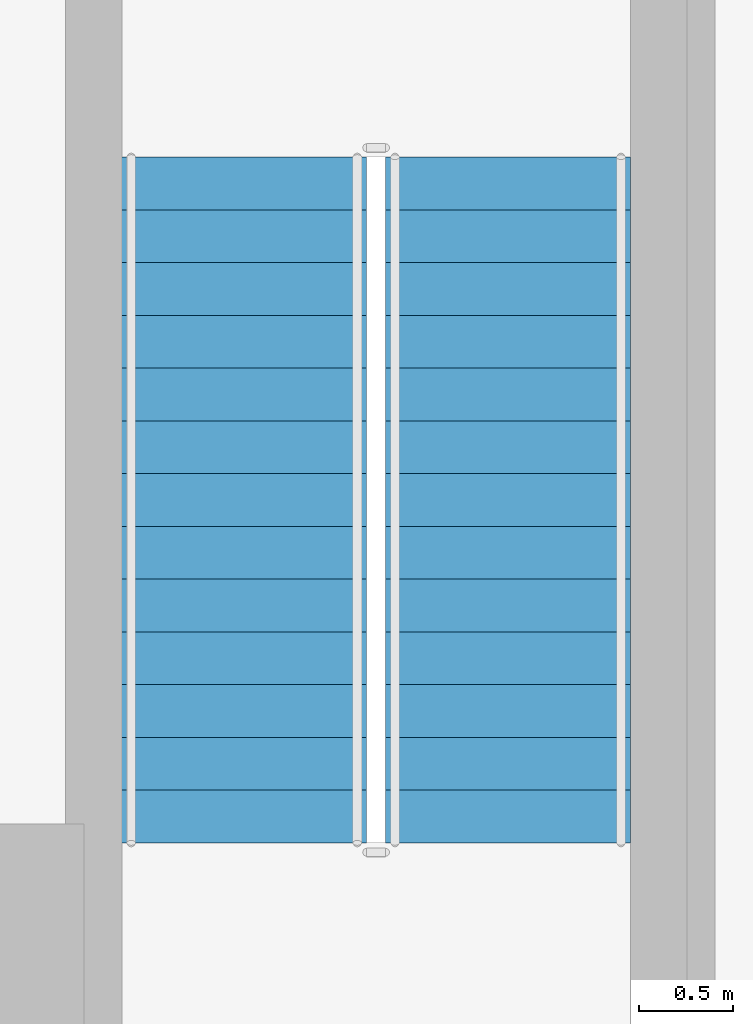
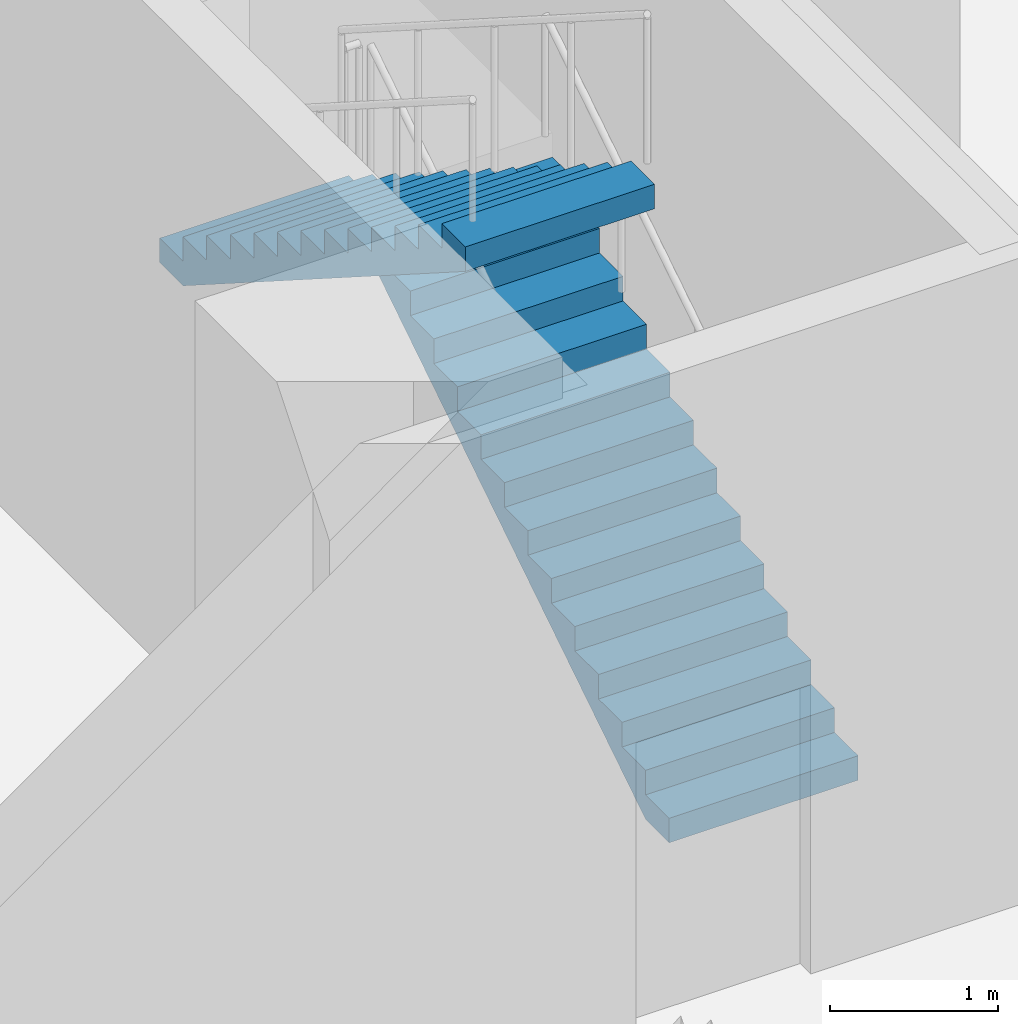
# One storey, part 19 of 35: 2 stair flights, 1 element without a shape of its own.
"""IFC4 building model written with IfcOpenShell, lengths in metres."""

from ifc_helpers import new_model, si_unit, direction, frame, origin, place, context, subcontext, project, spatial, triangles, source, transform, mapped, material, type_object, element, aggregate, save


model = new_model("IFC4")

# Units and contexts
model_context = context("Model", 3, precision=1e-05, world=origin(), true_north=direction((0.0, 1.0)))
body_context = subcontext(model_context, "Body", "Model", "MODEL_VIEW")
ifc_project = project(units=[si_unit("LENGTHUNIT", "METRE"), si_unit("AREAUNIT", "SQUARE_METRE"), si_unit("VOLUMEUNIT", "CUBIC_METRE"), si_unit("PLANEANGLEUNIT", "RADIAN"), si_unit("MASSUNIT", "GRAM", prefix="KILO")], contexts=[model_context])

# Site, building, storey
site_placement = place(None, origin())
site = spatial("IfcSite", under=ifc_project, at=site_placement, CompositionType="ELEMENT")
building_placement = place(site_placement, origin())
building = spatial("IfcBuilding", under=site, at=building_placement, Name="Ogive Portal Towers", CompositionType="ELEMENT")
storey_placement = place(building_placement, frame((0.0, 0.0, 23.5)))
storey = spatial("IfcBuildingStorey", under=building, at=storey_placement, Name="L04", CompositionType="ELEMENT", Elevation=23.5)

# Stair, stair flights
ifc_material = material(Name="Concrete C40/50", Category="concrete")
stair_type = type_object("IfcStairType", Name="INT-STAIR", PredefinedType="HALF_TURN_STAIR", material=ifc_material)
stair_placement = place(storey_placement, origin())
stair = element("IfcStair", 1, at=stair_placement, inside=storey, type_object=stair_type, Name="L04 Exit Stair ST-A3", PredefinedType="HALF_TURN_STAIR")
stair_flight_type = type_object("IfcStairFlightType", Name="INT-FLIGHT", PredefinedType="STRAIGHT", material=ifc_material)
shared_shape = source(origin(), body_context, "Body", "Tessellation", [
    triangles([(0.0, -0.650146484375, 0.0), (0.0, -0.376220703125, 0.0), (0.0, -0.192626953125, 0.0), (0.0, -0.081298828125, 0.0), (0.0, -0.024169921875, 0.0), (0.0, -0.003173828125, 0.0), (0.0, 0.0, 0.0), (0.0, 0.0029296875, 0.0), (0.0, 0.02392578125, 0.0), (0.0, 0.0810546875, 0.0), (0.0, 0.1923828125, 0.0), (0.0, 0.3759765625, 0.0), (0.0, 0.64990234375, 0.0), (0.0, -0.650146484375, 0.178466796875), (0.0, -0.376220703125, 0.178466796875), (0.0, -0.192626953125, 0.178466796875), (0.0, -0.081298828125, 0.178466796875), (0.0, -0.024169921875, 0.178466796875), (0.0, -0.003173828125, 0.178466796875), (0.0, 0.0, 0.178466796875), (0.0, 0.0029296875, 0.178466796875), (0.0, 0.02392578125, 0.178466796875), (0.0, 0.0810546875, 0.178466796875), (0.0, 0.1923828125, 0.178466796875), (0.0, 0.3759765625, 0.178466796875), (0.0, 0.64990234375, 0.178466796875), (0.280029296875, -0.650146484375, 0.178466796875), (0.280029296875, -0.376220703125, 0.178466796875), (0.280029296875, -0.192626953125, 0.178466796875), (0.280029296875, -0.081298828125, 0.178466796875), (0.280029296875, -0.024169921875, 0.178466796875), (0.280029296875, -0.003173828125, 0.178466796875), (0.280029296875, 0.0, 0.178466796875), (0.280029296875, 0.0029296875, 0.178466796875), (0.280029296875, 0.02392578125, 0.178466796875), (0.280029296875, 0.0810546875, 0.178466796875), (0.280029296875, 0.1923828125, 0.178466796875), (0.280029296875, 0.3759765625, 0.178466796875), (0.280029296875, 0.64990234375, 0.178466796875), (0.280029296875, -0.650146484375, 0.357177734375), (0.280029296875, -0.376220703125, 0.357177734375), (0.280029296875, -0.192626953125, 0.357177734375), (0.280029296875, -0.081298828125, 0.357177734375), (0.280029296875, -0.024169921875, 0.357177734375), (0.280029296875, -0.003173828125, 0.357177734375), (0.280029296875, 0.0, 0.357177734375), (0.280029296875, 0.0029296875, 0.357177734375), (0.280029296875, 0.02392578125, 0.357177734375), (0.280029296875, 0.0810546875, 0.357177734375), (0.280029296875, 0.1923828125, 0.357177734375), (0.280029296875, 0.3759765625, 0.357177734375), (0.280029296875, 0.64990234375, 0.357177734375), (0.56005859375, -0.650146484375, 0.357177734375), (0.56005859375, -0.376220703125, 0.357177734375), (0.56005859375, -0.192626953125, 0.357177734375), (0.56005859375, -0.081298828125, 0.357177734375), (0.56005859375, -0.024169921875, 0.357177734375), (0.56005859375, -0.003173828125, 0.357177734375), (0.56005859375, 0.0, 0.357177734375), (0.56005859375, 0.0029296875, 0.357177734375), (0.56005859375, 0.02392578125, 0.357177734375), (0.56005859375, 0.0810546875, 0.357177734375), (0.56005859375, 0.1923828125, 0.357177734375), (0.56005859375, 0.3759765625, 0.357177734375), (0.56005859375, 0.64990234375, 0.357177734375), (0.56005859375, -0.650146484375, 0.53564453125), (0.56005859375, -0.376220703125, 0.53564453125), (0.56005859375, -0.192626953125, 0.53564453125), (0.56005859375, -0.081298828125, 0.53564453125), (0.56005859375, -0.024169921875, 0.53564453125), (0.56005859375, -0.003173828125, 0.53564453125), (0.56005859375, 0.0, 0.53564453125), (0.56005859375, 0.0029296875, 0.53564453125), (0.56005859375, 0.02392578125, 0.53564453125), (0.56005859375, 0.0810546875, 0.53564453125), (0.56005859375, 0.1923828125, 0.53564453125), (0.56005859375, 0.3759765625, 0.53564453125), (0.56005859375, 0.64990234375, 0.53564453125), (0.840087890625, -0.650146484375, 0.53564453125), (0.840087890625, -0.376220703125, 0.53564453125), (0.840087890625, -0.192626953125, 0.53564453125), (0.840087890625, -0.081298828125, 0.53564453125), (0.840087890625, -0.024169921875, 0.53564453125), (0.840087890625, -0.003173828125, 0.53564453125), (0.840087890625, 0.0, 0.53564453125), (0.840087890625, 0.0029296875, 0.53564453125), (0.840087890625, 0.02392578125, 0.53564453125), (0.840087890625, 0.0810546875, 0.53564453125), (0.840087890625, 0.1923828125, 0.53564453125), (0.840087890625, 0.3759765625, 0.53564453125), (0.840087890625, 0.64990234375, 0.53564453125), (0.840087890625, -0.650146484375, 0.71435546875), (0.840087890625, -0.376220703125, 0.71435546875), (0.840087890625, -0.192626953125, 0.71435546875), (0.840087890625, -0.081298828125, 0.71435546875), (0.840087890625, -0.024169921875, 0.71435546875), (0.840087890625, -0.003173828125, 0.71435546875), (0.840087890625, 0.0, 0.71435546875), (0.840087890625, 0.0029296875, 0.71435546875), (0.840087890625, 0.02392578125, 0.71435546875), (0.840087890625, 0.0810546875, 0.71435546875), (0.840087890625, 0.1923828125, 0.71435546875), (0.840087890625, 0.3759765625, 0.71435546875), (0.840087890625, 0.64990234375, 0.71435546875), (1.1201171875, -0.650146484375, 0.71435546875), (1.1201171875, -0.376220703125, 0.71435546875), (1.1201171875, -0.192626953125, 0.71435546875), (1.1201171875, -0.081298828125, 0.71435546875), (1.1201171875, -0.024169921875, 0.71435546875), (1.1201171875, -0.003173828125, 0.71435546875), (1.1201171875, 0.0, 0.71435546875), (1.1201171875, 0.0029296875, 0.71435546875), (1.1201171875, 0.02392578125, 0.71435546875), (1.1201171875, 0.0810546875, 0.71435546875), (1.1201171875, 0.1923828125, 0.71435546875), (1.1201171875, 0.3759765625, 0.71435546875), (1.1201171875, 0.64990234375, 0.71435546875), (1.1201171875, -0.650146484375, 0.892822265625), (1.1201171875, -0.376220703125, 0.892822265625), (1.1201171875, -0.192626953125, 0.892822265625), (1.1201171875, -0.081298828125, 0.892822265625), (1.1201171875, -0.024169921875, 0.892822265625), (1.1201171875, -0.003173828125, 0.892822265625), (1.1201171875, 0.0, 0.892822265625), (1.1201171875, 0.0029296875, 0.892822265625), (1.1201171875, 0.02392578125, 0.892822265625), (1.1201171875, 0.0810546875, 0.892822265625), (1.1201171875, 0.1923828125, 0.892822265625), (1.1201171875, 0.3759765625, 0.892822265625), (1.1201171875, 0.64990234375, 0.892822265625), (1.39990234375, -0.650146484375, 0.892822265625), (1.39990234375, -0.376220703125, 0.892822265625), (1.39990234375, -0.192626953125, 0.892822265625), (1.39990234375, -0.081298828125, 0.892822265625), (1.39990234375, -0.024169921875, 0.892822265625), (1.39990234375, -0.003173828125, 0.892822265625), (1.39990234375, 0.0, 0.892822265625), (1.39990234375, 0.0029296875, 0.892822265625), (1.39990234375, 0.02392578125, 0.892822265625), (1.39990234375, 0.0810546875, 0.892822265625), (1.39990234375, 0.1923828125, 0.892822265625), (1.39990234375, 0.3759765625, 0.892822265625), (1.39990234375, 0.64990234375, 0.892822265625), (1.39990234375, -0.650146484375, 1.071533203125), (1.39990234375, -0.376220703125, 1.071533203125), (1.39990234375, -0.192626953125, 1.071533203125), (1.39990234375, -0.081298828125, 1.071533203125), (1.39990234375, -0.024169921875, 1.071533203125), (1.39990234375, -0.003173828125, 1.071533203125), (1.39990234375, 0.0, 1.071533203125), (1.39990234375, 0.0029296875, 1.071533203125), (1.39990234375, 0.02392578125, 1.071533203125), (1.39990234375, 0.0810546875, 1.071533203125), (1.39990234375, 0.1923828125, 1.071533203125), (1.39990234375, 0.3759765625, 1.071533203125), (1.39990234375, 0.64990234375, 1.071533203125), (1.679931640625, -0.650146484375, 1.071533203125), (1.679931640625, -0.376220703125, 1.071533203125), (1.679931640625, -0.192626953125, 1.071533203125), (1.679931640625, -0.081298828125, 1.071533203125), (1.679931640625, -0.024169921875, 1.071533203125), (1.679931640625, -0.003173828125, 1.071533203125), (1.679931640625, 0.0, 1.071533203125), (1.679931640625, 0.0029296875, 1.071533203125), (1.679931640625, 0.02392578125, 1.071533203125), (1.679931640625, 0.0810546875, 1.071533203125), (1.679931640625, 0.1923828125, 1.071533203125), (1.679931640625, 0.3759765625, 1.071533203125), (1.679931640625, 0.64990234375, 1.071533203125), (1.679931640625, -0.650146484375, 1.25), (1.679931640625, -0.376220703125, 1.25), (1.679931640625, -0.192626953125, 1.25), (1.679931640625, -0.081298828125, 1.25), (1.679931640625, -0.024169921875, 1.25), (1.679931640625, -0.003173828125, 1.25), (1.679931640625, 0.0, 1.25), (1.679931640625, 0.0029296875, 1.25), (1.679931640625, 0.02392578125, 1.25), (1.679931640625, 0.0810546875, 1.25), (1.679931640625, 0.1923828125, 1.25), (1.679931640625, 0.3759765625, 1.25), (1.679931640625, 0.64990234375, 1.25), (1.9599609375, -0.650146484375, 1.25), (1.9599609375, -0.376220703125, 1.25), (1.9599609375, -0.192626953125, 1.25), (1.9599609375, -0.081298828125, 1.25), (1.9599609375, -0.024169921875, 1.25), (1.9599609375, -0.003173828125, 1.25), (1.9599609375, 0.0, 1.25), (1.9599609375, 0.0029296875, 1.25), (1.9599609375, 0.02392578125, 1.25), (1.9599609375, 0.0810546875, 1.25), (1.9599609375, 0.1923828125, 1.25), (1.9599609375, 0.3759765625, 1.25), (1.9599609375, 0.64990234375, 1.25), (1.9599609375, -0.650146484375, 1.428466796875), (1.9599609375, -0.376220703125, 1.428466796875), (1.9599609375, -0.192626953125, 1.428466796875), (1.9599609375, -0.081298828125, 1.428466796875), (1.9599609375, -0.024169921875, 1.428466796875), (1.9599609375, -0.003173828125, 1.428466796875), (1.9599609375, 0.0, 1.428466796875), (1.9599609375, 0.0029296875, 1.428466796875), (1.9599609375, 0.02392578125, 1.428466796875), (1.9599609375, 0.0810546875, 1.428466796875), (1.9599609375, 0.1923828125, 1.428466796875), (1.9599609375, 0.3759765625, 1.428466796875), (1.9599609375, 0.64990234375, 1.428466796875), (2.239990234375, -0.650146484375, 1.428466796875), (2.239990234375, -0.376220703125, 1.428466796875), (2.239990234375, -0.192626953125, 1.428466796875), (2.239990234375, -0.081298828125, 1.428466796875), (2.239990234375, -0.024169921875, 1.428466796875), (2.239990234375, -0.003173828125, 1.428466796875), (2.239990234375, 0.0, 1.428466796875), (2.239990234375, 0.0029296875, 1.428466796875), (2.239990234375, 0.02392578125, 1.428466796875), (2.239990234375, 0.0810546875, 1.428466796875), (2.239990234375, 0.1923828125, 1.428466796875), (2.239990234375, 0.3759765625, 1.428466796875), (2.239990234375, 0.64990234375, 1.428466796875), (2.239990234375, -0.650146484375, 1.607177734375), (2.239990234375, -0.376220703125, 1.607177734375), (2.239990234375, -0.192626953125, 1.607177734375), (2.239990234375, -0.081298828125, 1.607177734375), (2.239990234375, -0.024169921875, 1.607177734375), (2.239990234375, -0.003173828125, 1.607177734375), (2.239990234375, 0.0, 1.607177734375), (2.239990234375, 0.0029296875, 1.607177734375), (2.239990234375, 0.02392578125, 1.607177734375), (2.239990234375, 0.0810546875, 1.607177734375), (2.239990234375, 0.1923828125, 1.607177734375), (2.239990234375, 0.3759765625, 1.607177734375), (2.239990234375, 0.64990234375, 1.607177734375), (2.52001953125, -0.650146484375, 1.607177734375), (2.52001953125, -0.376220703125, 1.607177734375), (2.52001953125, -0.192626953125, 1.607177734375), (2.52001953125, -0.081298828125, 1.607177734375), (2.52001953125, -0.024169921875, 1.607177734375), (2.52001953125, -0.003173828125, 1.607177734375), (2.52001953125, 0.0, 1.607177734375), (2.52001953125, 0.0029296875, 1.607177734375), (2.52001953125, 0.02392578125, 1.607177734375), (2.52001953125, 0.0810546875, 1.607177734375), (2.52001953125, 0.1923828125, 1.607177734375), (2.52001953125, 0.3759765625, 1.607177734375), (2.52001953125, 0.64990234375, 1.607177734375), (2.52001953125, -0.650146484375, 1.78564453125), (2.52001953125, -0.376220703125, 1.78564453125), (2.52001953125, -0.192626953125, 1.78564453125), (2.52001953125, -0.081298828125, 1.78564453125), (2.52001953125, -0.024169921875, 1.78564453125), (2.52001953125, -0.003173828125, 1.78564453125), (2.52001953125, 0.0, 1.78564453125), (2.52001953125, 0.0029296875, 1.78564453125), (2.52001953125, 0.02392578125, 1.78564453125), (2.52001953125, 0.0810546875, 1.78564453125), (2.52001953125, 0.1923828125, 1.78564453125), (2.52001953125, 0.3759765625, 1.78564453125), (2.52001953125, 0.64990234375, 1.78564453125), (2.800048828125, -0.650146484375, 1.78564453125), (2.800048828125, -0.376220703125, 1.78564453125), (2.800048828125, -0.192626953125, 1.78564453125), (2.800048828125, -0.081298828125, 1.78564453125), (2.800048828125, -0.024169921875, 1.78564453125), (2.800048828125, -0.003173828125, 1.78564453125), (2.800048828125, 0.0, 1.78564453125), (2.800048828125, 0.0029296875, 1.78564453125), (2.800048828125, 0.02392578125, 1.78564453125), (2.800048828125, 0.0810546875, 1.78564453125), (2.800048828125, 0.1923828125, 1.78564453125), (2.800048828125, 0.3759765625, 1.78564453125), (2.800048828125, 0.64990234375, 1.78564453125), (2.800048828125, -0.650146484375, 1.96435546875), (2.800048828125, -0.376220703125, 1.96435546875), (2.800048828125, -0.192626953125, 1.96435546875), (2.800048828125, -0.081298828125, 1.96435546875), (2.800048828125, -0.024169921875, 1.96435546875), (2.800048828125, -0.003173828125, 1.96435546875), (2.800048828125, 0.0, 1.96435546875), (2.800048828125, 0.0029296875, 1.96435546875), (2.800048828125, 0.02392578125, 1.96435546875), (2.800048828125, 0.0810546875, 1.96435546875), (2.800048828125, 0.1923828125, 1.96435546875), (2.800048828125, 0.3759765625, 1.96435546875), (2.800048828125, 0.64990234375, 1.96435546875), (3.080078125, -0.650146484375, 1.96435546875), (3.080078125, -0.376220703125, 1.96435546875), (3.080078125, -0.192626953125, 1.96435546875), (3.080078125, -0.081298828125, 1.96435546875), (3.080078125, -0.024169921875, 1.96435546875), (3.080078125, -0.003173828125, 1.96435546875), (3.080078125, 0.0, 1.96435546875), (3.080078125, 0.0029296875, 1.96435546875), (3.080078125, 0.02392578125, 1.96435546875), (3.080078125, 0.0810546875, 1.96435546875), (3.080078125, 0.1923828125, 1.96435546875), (3.080078125, 0.3759765625, 1.96435546875), (3.080078125, 0.64990234375, 1.96435546875), (3.080078125, -0.650146484375, 2.142822265625), (3.080078125, -0.376220703125, 2.142822265625), (3.080078125, -0.192626953125, 2.142822265625), (3.080078125, -0.081298828125, 2.142822265625), (3.080078125, -0.024169921875, 2.142822265625), (3.080078125, -0.003173828125, 2.142822265625), (3.080078125, 0.0, 2.142822265625), (3.080078125, 0.0029296875, 2.142822265625), (3.080078125, 0.02392578125, 2.142822265625), (3.080078125, 0.0810546875, 2.142822265625), (3.080078125, 0.1923828125, 2.142822265625), (3.080078125, 0.3759765625, 2.142822265625), (3.080078125, 0.64990234375, 2.142822265625), (3.360107421875, -0.650146484375, 2.142822265625), (3.360107421875, -0.376220703125, 2.142822265625), (3.360107421875, -0.192626953125, 2.142822265625), (3.360107421875, -0.081298828125, 2.142822265625), (3.360107421875, -0.024169921875, 2.142822265625), (3.360107421875, -0.003173828125, 2.142822265625), (3.360107421875, 0.0, 2.142822265625), (3.360107421875, 0.0029296875, 2.142822265625), (3.360107421875, 0.02392578125, 2.142822265625), (3.360107421875, 0.0810546875, 2.142822265625), (3.360107421875, 0.1923828125, 2.142822265625), (3.360107421875, 0.3759765625, 2.142822265625), (3.360107421875, 0.64990234375, 2.142822265625), (3.360107421875, -0.650146484375, 2.321533203125), (3.360107421875, -0.376220703125, 2.321533203125), (3.360107421875, -0.192626953125, 2.321533203125), (3.360107421875, -0.081298828125, 2.321533203125), (3.360107421875, -0.024169921875, 2.321533203125), (3.360107421875, -0.003173828125, 2.321533203125), (3.360107421875, 0.0, 2.321533203125), (3.360107421875, 0.0029296875, 2.321533203125), (3.360107421875, 0.02392578125, 2.321533203125), (3.360107421875, 0.0810546875, 2.321533203125), (3.360107421875, 0.1923828125, 2.321533203125), (3.360107421875, 0.3759765625, 2.321533203125), (3.360107421875, 0.64990234375, 2.321533203125), (3.639892578125, -0.650146484375, 2.321533203125), (3.639892578125, -0.376220703125, 2.321533203125), (3.639892578125, -0.192626953125, 2.321533203125), (3.639892578125, -0.081298828125, 2.321533203125), (3.639892578125, -0.024169921875, 2.321533203125), (3.639892578125, -0.003173828125, 2.321533203125), (3.639892578125, 0.0, 2.321533203125), (3.639892578125, 0.0029296875, 2.321533203125), (3.639892578125, 0.02392578125, 2.321533203125), (3.639892578125, 0.0810546875, 2.321533203125), (3.639892578125, 0.1923828125, 2.321533203125), (3.639892578125, 0.3759765625, 2.321533203125), (3.639892578125, 0.64990234375, 2.321533203125), (3.639892578125, -0.650146484375, 2.1435546875), (3.639892578125, -0.376220703125, 2.1435546875), (3.639892578125, -0.192626953125, 2.1435546875), (3.639892578125, -0.081298828125, 2.1435546875), (3.639892578125, -0.024169921875, 2.1435546875), (3.639892578125, -0.003173828125, 2.1435546875), (3.639892578125, 0.0, 2.1435546875), (3.639892578125, 0.0029296875, 2.1435546875), (3.639892578125, 0.02392578125, 2.1435546875), (3.639892578125, 0.0810546875, 2.1435546875), (3.639892578125, 0.1923828125, 2.1435546875), (3.639892578125, 0.3759765625, 2.1435546875), (3.639892578125, 0.64990234375, 2.1435546875), (0.27880859375, -0.650146484375, 0.0), (0.27880859375, -0.376220703125, 0.0), (0.27880859375, -0.192626953125, 0.0), (0.27880859375, -0.081298828125, 0.0), (0.27880859375, -0.024169921875, 0.0), (0.27880859375, -0.003173828125, 0.0), (0.27880859375, 0.0, 0.0), (0.27880859375, 0.0029296875, 0.0), (0.27880859375, 0.02392578125, 0.0), (0.27880859375, 0.0810546875, 0.0), (0.27880859375, 0.1923828125, 0.0), (0.27880859375, 0.3759765625, 0.0), (0.27880859375, 0.64990234375, 0.0)], [[1, 14, 15], [1, 15, 2], [2, 15, 16], [2, 16, 3], [3, 16, 17], [3, 17, 4], [4, 17, 18], [4, 18, 5], [5, 18, 19], [5, 19, 6], [6, 19, 20], [6, 20, 7], [7, 20, 21], [7, 21, 8], [8, 21, 22], [8, 22, 9], [9, 22, 23], [9, 23, 10], [10, 23, 24], [10, 24, 11], [11, 24, 25], [11, 25, 12], [12, 25, 26], [12, 26, 13], [14, 27, 28], [14, 28, 15], [15, 28, 29], [15, 29, 16], [16, 29, 30], [16, 30, 17], [17, 30, 31], [17, 31, 18], [18, 31, 32], [18, 32, 19], [19, 32, 33], [19, 33, 20], [20, 33, 34], [20, 34, 21], [21, 34, 35], [21, 35, 22], [22, 35, 36], [22, 36, 23], [23, 36, 37], [23, 37, 24], [24, 37, 38], [24, 38, 25], [25, 38, 39], [25, 39, 26], [27, 40, 41], [27, 41, 28], [28, 41, 42], [28, 42, 29], [29, 42, 43], [29, 43, 30], [30, 43, 44], [30, 44, 31], [31, 44, 45], [31, 45, 32], [32, 45, 46], [32, 46, 33], [33, 46, 47], [33, 47, 34], [34, 47, 48], [34, 48, 35], [35, 48, 49], [35, 49, 36], [36, 49, 50], [36, 50, 37], [37, 50, 51], [37, 51, 38], [38, 51, 52], [38, 52, 39], [40, 53, 54], [40, 54, 41], [41, 54, 55], [41, 55, 42], [42, 55, 56], [42, 56, 43], [43, 56, 57], [43, 57, 44], [44, 57, 58], [44, 58, 45], [45, 58, 59], [45, 59, 46], [46, 59, 60], [46, 60, 47], [47, 60, 61], [47, 61, 48], [48, 61, 62], [48, 62, 49], [49, 62, 63], [49, 63, 50], [50, 63, 64], [50, 64, 51], [51, 64, 65], [51, 65, 52], [53, 66, 67], [53, 67, 54], [54, 67, 68], [54, 68, 55], [55, 68, 69], [55, 69, 56], [56, 69, 70], [56, 70, 57], [57, 70, 71], [57, 71, 58], [58, 71, 72], [58, 72, 59], [59, 72, 73], [59, 73, 60], [60, 73, 74], [60, 74, 61], [61, 74, 75], [61, 75, 62], [62, 75, 76], [62, 76, 63], [63, 76, 77], [63, 77, 64], [64, 77, 78], [64, 78, 65], [66, 79, 80], [66, 80, 67], [67, 80, 81], [67, 81, 68], [68, 81, 82], [68, 82, 69], [69, 82, 83], [69, 83, 70], [70, 83, 84], [70, 84, 71], [71, 84, 85], [71, 85, 72], [72, 85, 86], [72, 86, 73], [73, 86, 87], [73, 87, 74], [74, 87, 88], [74, 88, 75], [75, 88, 89], [75, 89, 76], [76, 89, 90], [76, 90, 77], [77, 90, 91], [77, 91, 78], [79, 92, 93], [79, 93, 80], [80, 93, 94], [80, 94, 81], [81, 94, 95], [81, 95, 82], [82, 95, 96], [82, 96, 83], [83, 96, 97], [83, 97, 84], [84, 97, 98], [84, 98, 85], [85, 98, 99], [85, 99, 86], [86, 99, 100], [86, 100, 87], [87, 100, 101], [87, 101, 88], [88, 101, 102], [88, 102, 89], [89, 102, 103], [89, 103, 90], [90, 103, 104], [90, 104, 91], [92, 105, 106], [92, 106, 93], [93, 106, 107], [93, 107, 94], [94, 107, 108], [94, 108, 95], [95, 108, 109], [95, 109, 96], [96, 109, 110], [96, 110, 97], [97, 110, 111], [97, 111, 98], [98, 111, 112], [98, 112, 99], [99, 112, 113], [99, 113, 100], [100, 113, 114], [100, 114, 101], [101, 114, 115], [101, 115, 102], [102, 115, 116], [102, 116, 103], [103, 116, 117], [103, 117, 104], [105, 118, 119], [105, 119, 106], [106, 119, 120], [106, 120, 107], [107, 120, 121], [107, 121, 108], [108, 121, 122], [108, 122, 109], [109, 122, 123], [109, 123, 110], [110, 123, 124], [110, 124, 111], [111, 124, 125], [111, 125, 112], [112, 125, 126], [112, 126, 113], [113, 126, 127], [113, 127, 114], [114, 127, 128], [114, 128, 115], [115, 128, 129], [115, 129, 116], [116, 129, 130], [116, 130, 117], [118, 131, 132], [118, 132, 119], [119, 132, 133], [119, 133, 120], [120, 133, 134], [120, 134, 121], [121, 134, 135], [121, 135, 122], [122, 135, 136], [122, 136, 123], [123, 136, 137], [123, 137, 124], [124, 137, 138], [124, 138, 125], [125, 138, 139], [125, 139, 126], [126, 139, 140], [126, 140, 127], [127, 140, 141], [127, 141, 128], [128, 141, 142], [128, 142, 129], [129, 142, 143], [129, 143, 130], [131, 144, 145], [131, 145, 132], [132, 145, 146], [132, 146, 133], [133, 146, 147], [133, 147, 134], [134, 147, 148], [134, 148, 135], [135, 148, 149], [135, 149, 136], [136, 149, 150], [136, 150, 137], [137, 150, 151], [137, 151, 138], [138, 151, 152], [138, 152, 139], [139, 152, 153], [139, 153, 140], [140, 153, 154], [140, 154, 141], [141, 154, 155], [141, 155, 142], [142, 155, 156], [142, 156, 143], [144, 157, 158], [144, 158, 145], [145, 158, 159], [145, 159, 146], [146, 159, 160], [146, 160, 147], [147, 160, 161], [147, 161, 148], [148, 161, 162], [148, 162, 149], [149, 162, 163], [149, 163, 150], [150, 163, 164], [150, 164, 151], [151, 164, 165], [151, 165, 152], [152, 165, 166], [152, 166, 153], [153, 166, 167], [153, 167, 154], [154, 167, 168], [154, 168, 155], [155, 168, 169], [155, 169, 156], [157, 170, 171], [157, 171, 158], [158, 171, 172], [158, 172, 159], [159, 172, 173], [159, 173, 160], [160, 173, 174], [160, 174, 161], [161, 174, 175], [161, 175, 162], [162, 175, 176], [162, 176, 163], [163, 176, 177], [163, 177, 164], [164, 177, 178], [164, 178, 165], [165, 178, 179], [165, 179, 166], [166, 179, 180], [166, 180, 167], [167, 180, 181], [167, 181, 168], [168, 181, 182], [168, 182, 169], [170, 183, 184], [170, 184, 171], [171, 184, 185], [171, 185, 172], [172, 185, 186], [172, 186, 173], [173, 186, 187], [173, 187, 174], [174, 187, 188], [174, 188, 175], [175, 188, 189], [175, 189, 176], [176, 189, 190], [176, 190, 177], [177, 190, 191], [177, 191, 178], [178, 191, 192], [178, 192, 179], [179, 192, 193], [179, 193, 180], [180, 193, 194], [180, 194, 181], [181, 194, 195], [181, 195, 182], [183, 196, 197], [183, 197, 184], [184, 197, 198], [184, 198, 185], [185, 198, 199], [185, 199, 186], [186, 199, 200], [186, 200, 187], [187, 200, 201], [187, 201, 188], [188, 201, 202], [188, 202, 189], [189, 202, 203], [189, 203, 190], [190, 203, 204], [190, 204, 191], [191, 204, 205], [191, 205, 192], [192, 205, 206], [192, 206, 193], [193, 206, 207], [193, 207, 194], [194, 207, 208], [194, 208, 195], [196, 209, 210], [196, 210, 197], [197, 210, 211], [197, 211, 198], [198, 211, 212], [198, 212, 199], [199, 212, 213], [199, 213, 200], [200, 213, 214], [200, 214, 201], [201, 214, 215], [201, 215, 202], [202, 215, 216], [202, 216, 203], [203, 216, 217], [203, 217, 204], [204, 217, 218], [204, 218, 205], [205, 218, 219], [205, 219, 206], [206, 219, 220], [206, 220, 207], [207, 220, 221], [207, 221, 208], [209, 222, 223], [209, 223, 210], [210, 223, 224], [210, 224, 211], [211, 224, 225], [211, 225, 212], [212, 225, 226], [212, 226, 213], [213, 226, 227], [213, 227, 214], [214, 227, 228], [214, 228, 215], [215, 228, 229], [215, 229, 216], [216, 229, 230], [216, 230, 217], [217, 230, 231], [217, 231, 218], [218, 231, 232], [218, 232, 219], [219, 232, 233], [219, 233, 220], [220, 233, 234], [220, 234, 221], [222, 235, 236], [222, 236, 223], [223, 236, 237], [223, 237, 224], [224, 237, 238], [224, 238, 225], [225, 238, 239], [225, 239, 226], [226, 239, 240], [226, 240, 227], [227, 240, 241], [227, 241, 228], [228, 241, 242], [228, 242, 229], [229, 242, 243], [229, 243, 230], [230, 243, 244], [230, 244, 231], [231, 244, 245], [231, 245, 232], [232, 245, 246], [232, 246, 233], [233, 246, 247], [233, 247, 234], [235, 248, 249], [235, 249, 236], [236, 249, 250], [236, 250, 237], [237, 250, 251], [237, 251, 238], [238, 251, 252], [238, 252, 239], [239, 252, 253], [239, 253, 240], [240, 253, 254], [240, 254, 241], [241, 254, 255], [241, 255, 242], [242, 255, 256], [242, 256, 243], [243, 256, 257], [243, 257, 244], [244, 257, 258], [244, 258, 245], [245, 258, 259], [245, 259, 246], [246, 259, 260], [246, 260, 247], [248, 261, 262], [248, 262, 249], [249, 262, 263], [249, 263, 250], [250, 263, 264], [250, 264, 251], [251, 264, 265], [251, 265, 252], [252, 265, 266], [252, 266, 253], [253, 266, 267], [253, 267, 254], [254, 267, 268], [254, 268, 255], [255, 268, 269], [255, 269, 256], [256, 269, 270], [256, 270, 257], [257, 270, 271], [257, 271, 258], [258, 271, 272], [258, 272, 259], [259, 272, 273], [259, 273, 260], [261, 274, 275], [261, 275, 262], [262, 275, 276], [262, 276, 263], [263, 276, 277], [263, 277, 264], [264, 277, 278], [264, 278, 265], [265, 278, 279], [265, 279, 266], [266, 279, 280], [266, 280, 267], [267, 280, 281], [267, 281, 268], [268, 281, 282], [268, 282, 269], [269, 282, 283], [269, 283, 270], [270, 283, 284], [270, 284, 271], [271, 284, 285], [271, 285, 272], [272, 285, 286], [272, 286, 273], [274, 287, 288], [274, 288, 275], [275, 288, 289], [275, 289, 276], [276, 289, 290], [276, 290, 277], [277, 290, 291], [277, 291, 278], [278, 291, 292], [278, 292, 279], [279, 292, 293], [279, 293, 280], [280, 293, 294], [280, 294, 281], [281, 294, 295], [281, 295, 282], [282, 295, 296], [282, 296, 283], [283, 296, 297], [283, 297, 284], [284, 297, 298], [284, 298, 285], [285, 298, 299], [285, 299, 286], [287, 300, 301], [287, 301, 288], [288, 301, 302], [288, 302, 289], [289, 302, 303], [289, 303, 290], [290, 303, 304], [290, 304, 291], [291, 304, 305], [291, 305, 292], [292, 305, 306], [292, 306, 293], [293, 306, 307], [293, 307, 294], [294, 307, 308], [294, 308, 295], [295, 308, 309], [295, 309, 296], [296, 309, 310], [296, 310, 297], [297, 310, 311], [297, 311, 298], [298, 311, 312], [298, 312, 299], [300, 313, 314], [300, 314, 301], [301, 314, 315], [301, 315, 302], [302, 315, 316], [302, 316, 303], [303, 316, 317], [303, 317, 304], [304, 317, 318], [304, 318, 305], [305, 318, 319], [305, 319, 306], [306, 319, 320], [306, 320, 307], [307, 320, 321], [307, 321, 308], [308, 321, 322], [308, 322, 309], [309, 322, 323], [309, 323, 310], [310, 323, 324], [310, 324, 311], [311, 324, 325], [311, 325, 312], [313, 326, 327], [313, 327, 314], [314, 327, 328], [314, 328, 315], [315, 328, 329], [315, 329, 316], [316, 329, 330], [316, 330, 317], [317, 330, 331], [317, 331, 318], [318, 331, 332], [318, 332, 319], [319, 332, 333], [319, 333, 320], [320, 333, 334], [320, 334, 321], [321, 334, 335], [321, 335, 322], [322, 335, 336], [322, 336, 323], [323, 336, 337], [323, 337, 324], [324, 337, 338], [324, 338, 325], [326, 339, 340], [326, 340, 327], [327, 340, 341], [327, 341, 328], [328, 341, 342], [328, 342, 329], [329, 342, 343], [329, 343, 330], [330, 343, 344], [330, 344, 331], [331, 344, 345], [331, 345, 332], [332, 345, 346], [332, 346, 333], [333, 346, 347], [333, 347, 334], [334, 347, 348], [334, 348, 335], [335, 348, 349], [335, 349, 336], [336, 349, 350], [336, 350, 337], [337, 350, 351], [337, 351, 338], [339, 352, 353], [339, 353, 340], [340, 353, 354], [340, 354, 341], [341, 354, 355], [341, 355, 342], [342, 355, 356], [342, 356, 343], [343, 356, 357], [343, 357, 344], [344, 357, 358], [344, 358, 345], [345, 358, 359], [345, 359, 346], [346, 359, 360], [346, 360, 347], [347, 360, 361], [347, 361, 348], [348, 361, 362], [348, 362, 349], [349, 362, 363], [349, 363, 350], [350, 363, 364], [350, 364, 351], [352, 365, 366], [352, 366, 353], [353, 366, 367], [353, 367, 354], [354, 367, 368], [354, 368, 355], [355, 368, 369], [355, 369, 356], [356, 369, 370], [356, 370, 357], [357, 370, 371], [357, 371, 358], [358, 371, 372], [358, 372, 359], [359, 372, 373], [359, 373, 360], [360, 373, 374], [360, 374, 361], [361, 374, 375], [361, 375, 362], [362, 375, 376], [362, 376, 363], [363, 376, 377], [363, 377, 364], [365, 1, 2], [365, 2, 366], [366, 2, 3], [366, 3, 367], [367, 3, 4], [367, 4, 368], [368, 4, 5], [368, 5, 369], [369, 5, 6], [369, 6, 370], [370, 6, 7], [370, 7, 371], [371, 7, 8], [371, 8, 372], [372, 8, 9], [372, 9, 373], [373, 9, 10], [373, 10, 374], [374, 10, 11], [374, 11, 375], [375, 11, 12], [375, 12, 376], [376, 12, 13], [376, 13, 377], [1, 365, 352], [13, 364, 377], [352, 339, 326], [364, 338, 351], [352, 326, 313], [364, 325, 338], [313, 300, 287], [325, 299, 312], [352, 313, 287], [364, 299, 325], [287, 274, 261], [299, 273, 286], [352, 287, 261], [364, 273, 299], [261, 248, 235], [273, 247, 260], [352, 261, 235], [364, 247, 273], [235, 222, 209], [247, 221, 234], [352, 235, 209], [364, 221, 247], [209, 196, 183], [221, 195, 208], [352, 209, 183], [364, 195, 221], [183, 170, 157], [195, 169, 182], [352, 183, 157], [364, 169, 195], [157, 144, 131], [169, 143, 156], [352, 157, 131], [364, 143, 169], [131, 118, 105], [143, 117, 130], [352, 131, 105], [364, 117, 143], [105, 92, 79], [117, 91, 104], [352, 105, 79], [364, 91, 117], [79, 66, 53], [91, 65, 78], [352, 79, 53], [364, 65, 91], [53, 40, 27], [65, 39, 52], [352, 53, 27], [364, 39, 65], [1, 352, 27], [13, 39, 364], [27, 14, 1], [39, 13, 26]], closed=True),
])
stair_flight_1_placement = place(storey_placement, frame((43.550048828125, 67.199951171875, 0.0), z_axis=(0.0, 0.0, 1.0), x_axis=(0.0, 1.0, 0.0)))
stair_flight_1 = element("IfcStairFlight", 2, at=stair_flight_1_placement, type_object=stair_flight_type, Name="ST-A3 flight 1", NumberOfRisers=14, NumberOfTreads=13, PredefinedType="STRAIGHT", RiserHeight=0.178571429, TreadLength=0.28, context=body_context, shape_type="MappedRepresentation", body=[
    mapped(shared_shape, transform((0.0, 0.0, 0.0), scale=1.0)),
])
stair_flight_2_placement = place(storey_placement, frame((42.14990234375, 70.840087890625, 2.5), z_axis=(0.0, 0.0, 1.0), x_axis=(0.0, -1.0, 0.0)))
stair_flight_2 = element("IfcStairFlight", 3, at=stair_flight_2_placement, type_object=stair_flight_type, Name="ST-A3 flight 2", NumberOfRisers=14, NumberOfTreads=13, PredefinedType="STRAIGHT", RiserHeight=0.178571429, TreadLength=0.28, context=body_context, shape_type="MappedRepresentation", body=[
    mapped(shared_shape, transform((0.0, 0.0, 0.0), scale=1.0)),
])
aggregate(stair, [stair_flight_1, stair_flight_2])

save(model, "model.ifc")
